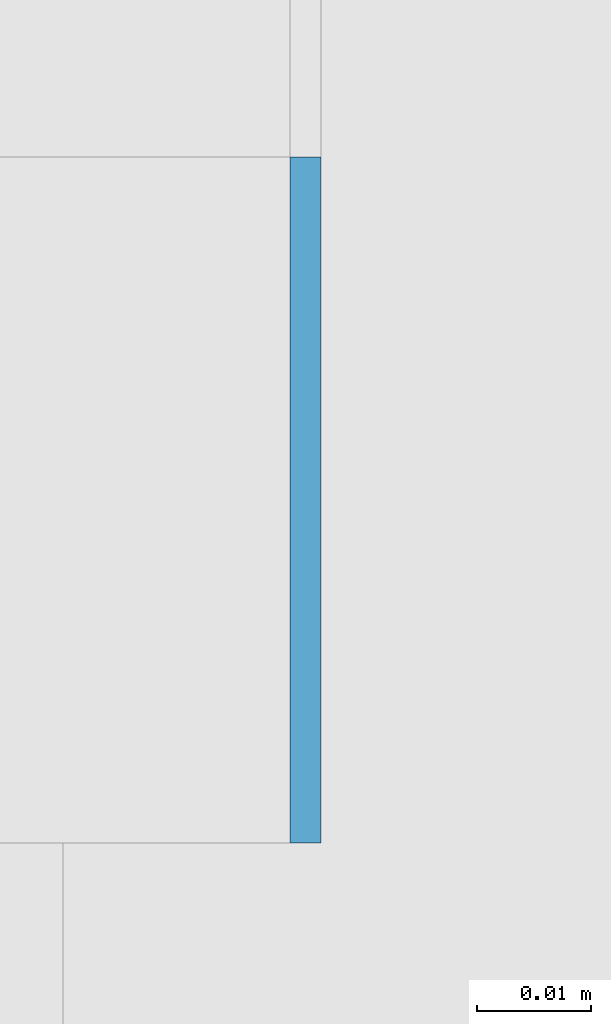
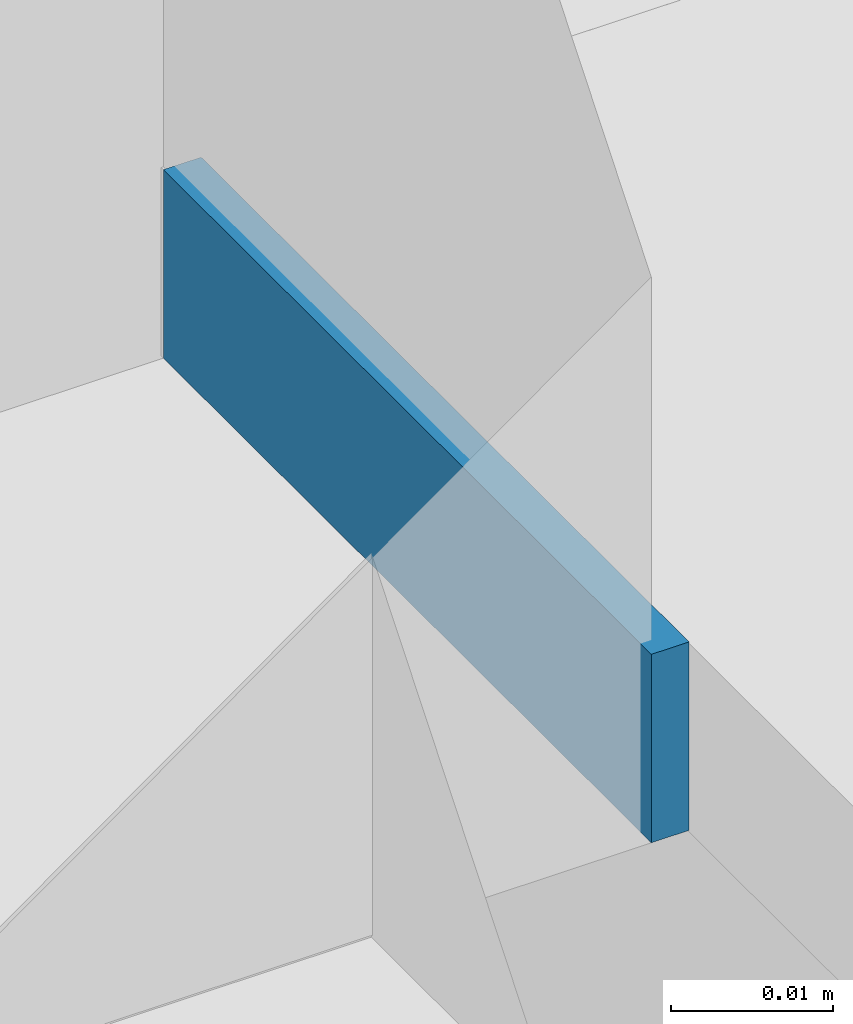
# One storey, part 284 of 646: 1 discrete accessory.
"""IFC4 building model written with IfcOpenShell, lengths in metres."""

import ifcopenshell
import ifcopenshell.guid

model = None  # the IFC model being written
_history = None  # IfcOwnerHistory: only IFC2X3 demands one
_inside = {}  # id of a spatial element -> (the spatial element, [elements in it])
_under = {}  # id of a project, library or spatial element -> (it, [spatial elements below it])
_declared = {}  # id of a project -> (the project, [libraries it declares])
_typed = {}  # id of a type object -> (the type object, [elements of that type])
_made_of = {}  # id of a material, layer set ... -> (it, [elements and type objects made of it])


def new_model(schema):
    """Start an empty IFC model of exactly this schema.

    Asked for "IFC4X3", IfcOpenShell would pick the latest addendum, in which some entities
    have other attributes; the version numbers below select the first issue.
    IFC2X3 requires an IfcOwnerHistory on every rooted entity: one is made here for all.
    """
    global model, _history
    if schema == "IFC4X3":
        model = ifcopenshell.file(schema_version=(4, 3, 0, 0))
    else:
        model = ifcopenshell.file(schema=schema)
    _inside.clear()
    _under.clear()
    _declared.clear()
    _typed.clear()
    _made_of.clear()
    _history = None
    if model.schema == "IFC2X3":
        org = make("IfcOrganization", Name="unknown")
        user = make(
            "IfcPersonAndOrganization",
            ThePerson=make("IfcPerson", FamilyName="unknown"),
            TheOrganization=org,
        )
        app = make(
            "IfcApplication",
            ApplicationDeveloper=org,
            Version="unknown",
            ApplicationFullName="unknown",
            ApplicationIdentifier="unknown",
        )
        _history = make(
            "IfcOwnerHistory",
            OwningUser=user,
            OwningApplication=app,
            ChangeAction="ADDED",
            CreationDate=0,
        )
    return model


def make(cls, **values):
    """One entity of the class cls with the attributes given. An attribute that is None is left unset."""
    return model.create_entity(
        cls, **{name: value for name, value in values.items() if value is not None}
    )


def rooted(cls, **values):
    """An entity with a GlobalId (a new one), such as an element, a storey or a relation."""
    return make(cls, GlobalId=ifcopenshell.guid.new(), OwnerHistory=_history, **values)


def si_unit(unit_type, name, prefix=None):
    """IfcSIUnit, for example si_unit("LENGTHUNIT", "METRE", prefix="MILLI")."""
    return make("IfcSIUnit", UnitType=unit_type, Prefix=prefix, Name=name)


def assignment(units):
    """IfcUnitAssignment: the units of a project."""
    return None if units is None else make("IfcUnitAssignment", Units=units)


def point(xyz):
    """IfcCartesianPoint."""
    return None if xyz is None else make("IfcCartesianPoint", Coordinates=xyz)


def direction(xyz):
    """IfcDirection."""
    return None if xyz is None else make("IfcDirection", DirectionRatios=xyz)


def frame(location, z_axis=None, x_axis=None):
    """IfcAxis2Placement3D, a coordinate frame: its origin and axes. An axis left out is left unset."""
    return make(
        "IfcAxis2Placement3D",
        Location=point(location),
        Axis=direction(z_axis),
        RefDirection=direction(x_axis),
    )


def frame_2d(location, x_axis=None):
    """IfcAxis2Placement2D, a coordinate frame in the plane: its origin and x axis."""
    return make(
        "IfcAxis2Placement2D", Location=point(location), RefDirection=direction(x_axis)
    )


def origin():
    """The frame at (0, 0, 0) with its axes left unset."""
    return frame((0.0, 0.0, 0.0))


def origin_2d():
    """The frame at (0, 0) in the plane with its x axis left unset."""
    return frame_2d((0.0, 0.0))


def place(relative_to, where):
    """IfcLocalPlacement: puts the frame where relative to a parent placement (None: the world)."""
    return make(
        "IfcLocalPlacement", PlacementRelTo=relative_to, RelativePlacement=where
    )


def context(
    kind, dimensions, precision=None, world=None, true_north=None, identifier=None
):
    """IfcGeometricRepresentationContext, for example the 3D "Model" context."""
    return make(
        "IfcGeometricRepresentationContext",
        ContextIdentifier=identifier,
        ContextType=kind,
        CoordinateSpaceDimension=dimensions,
        Precision=precision,
        WorldCoordinateSystem=world,
        TrueNorth=true_north,
    )


def subcontext(parent, identifier, kind, view, scale=None):
    """IfcGeometricRepresentationSubContext, for example "Body" below "Model"."""
    return make(
        "IfcGeometricRepresentationSubContext",
        ContextIdentifier=identifier,
        ContextType=kind,
        ParentContext=parent,
        TargetScale=scale,
        TargetView=view,
    )


def project(units=None, contexts=None):
    """IfcProject with its units and contexts."""
    return rooted(
        "IfcProject",
        Name="project",
        RepresentationContexts=contexts,
        UnitsInContext=assignment(units),
    )


def spatial(cls, under=None, at=None, **own):
    """A site, building, storey or space (cls), placed at a placement, below another one or the project."""
    s = rooted(cls, ObjectPlacement=at, **own)
    if under is not None:
        _under.setdefault(under.id(), (under, []))[1].append(s)
    return s


def profile(cls, at=None, kind="AREA", **sizes):
    """A parametric profile (cls). Its sizes go by their IFC names, for example OverallWidth=200.0."""
    return make(cls, ProfileType=kind, Position=at, **sizes)


def rectangle(**sizes):
    """IfcRectangleProfileDef."""
    return profile("IfcRectangleProfileDef", **sizes)


def extrude(swept, where, along, depth):
    """IfcExtrudedAreaSolid: the profile swept, set in the frame where, extruded along a direction by depth."""
    return make(
        "IfcExtrudedAreaSolid",
        SweptArea=swept,
        Position=where,
        ExtrudedDirection=direction(along),
        Depth=depth,
    )


def shape(context_of_items, identifier, shape_type, items):
    """IfcShapeRepresentation: the items that make up one representation, for example the "Body"."""
    return make(
        "IfcShapeRepresentation",
        ContextOfItems=context_of_items,
        RepresentationIdentifier=identifier,
        RepresentationType=shape_type,
        Items=items,
    )


def material(Name=None, Category=None):
    """IfcMaterial."""
    return make("IfcMaterial", Name=Name, Category=Category)


def made_of(thing, what):
    """Note that an element or type object is made of a material, layer set ...; save() writes the relation."""
    if what is not None:
        _made_of.setdefault(what.id(), (what, []))[1].append(thing)
    return thing


def type_object(cls, material=None, **own):
    """A type object (cls), such as IfcWallType, which elements share."""
    return made_of(rooted(cls, **own), material)


def element(
    cls,
    number,
    at=None,
    inside=None,
    cuts=None,
    type_object=None,
    material=None,
    context=None,
    identifier="Body",
    shape_type=None,
    held_by="IfcProductDefinitionShape",
    body=None,
    shapes=None,
    **own,
):
    """One element of the class cls, such as IfcWall. Its Tag is "e" and its number.

    at: its placement. inside: the storey or other place that contains it. cuts: it is an
    opening in that element (IfcRelVoidsElement). A single representation is given by context,
    identifier, shape_type and body (its items); several are given by shapes. held_by: the class
    of the entity that holds the representations. save() writes the other relations.
    """
    e = rooted(cls, Tag="e%d" % number, ObjectPlacement=at, **own)
    if body is not None:
        shapes = [shape(context, identifier, shape_type, body)]
    if shapes is not None:
        e.Representation = make(held_by, Representations=shapes)
    if inside is not None:
        _inside.setdefault(inside.id(), (inside, []))[1].append(e)
    if cuts is not None:
        rooted(
            "IfcRelVoidsElement", RelatingBuildingElement=cuts, RelatedOpeningElement=e
        )
    if type_object is not None:
        _typed.setdefault(type_object.id(), (type_object, []))[1].append(e)
    return made_of(e, material)


def aggregate(whole, parts):
    """IfcRelAggregates: a whole, such as a stair, and the parts it consists of."""
    return rooted("IfcRelAggregates", RelatingObject=whole, RelatedObjects=parts)


def save(model, path):
    """Write the relations noted so far, then the file.

    IfcRelAggregates (storeys below a building ...), IfcRelContainedInSpatialStructure (elements
    in a storey), IfcRelDefinesByType, IfcRelAssociatesMaterial and IfcRelDeclares: one each for
    every whole, place, type object, material and project.
    """
    for whole, parts in _under.values():
        aggregate(whole, parts)
    for where, things in _inside.values():
        rooted(
            "IfcRelContainedInSpatialStructure",
            RelatedElements=things,
            RelatingStructure=where,
        )
    for kind, things in _typed.values():
        rooted("IfcRelDefinesByType", RelatedObjects=things, RelatingType=kind)
    for what, things in _made_of.values():
        rooted("IfcRelAssociatesMaterial", RelatedObjects=things, RelatingMaterial=what)
    for by, libraries in _declared.values():
        rooted("IfcRelDeclares", RelatingContext=by, RelatedDefinitions=libraries)
    model.write(path)


model = new_model("IFC4")

# Units and contexts
model_context = context("Model", 3, precision=1e-05, world=origin(), true_north=direction((0.0, 1.0)))
body_context = subcontext(model_context, "Body", "Model", "MODEL_VIEW")
ifc_project = project(units=[si_unit("LENGTHUNIT", "METRE"), si_unit("AREAUNIT", "SQUARE_METRE"), si_unit("VOLUMEUNIT", "CUBIC_METRE"), si_unit("PLANEANGLEUNIT", "RADIAN"), si_unit("MASSUNIT", "GRAM", prefix="KILO")], contexts=[model_context])

# Site, building, storey
site_placement = place(None, origin())
site = spatial("IfcSite", under=ifc_project, at=site_placement, CompositionType="ELEMENT")
building_placement = place(site_placement, origin())
building = spatial("IfcBuilding", under=site, at=building_placement, Name="Silverbay Arena", CompositionType="ELEMENT")
storey_placement = place(building_placement, frame((0.0, 0.0, 33.5)))
storey = spatial("IfcBuildingStorey", under=building, at=storey_placement, Name="L05", CompositionType="ELEMENT", Elevation=33.5)

# Discrete accessory
ifc_material = material(Name="Steel S355", Category="steel")
discrete_accessory_type = type_object("IfcDiscreteAccessoryType", Name="Steel bracket plate", PredefinedType="BRACKET", material=ifc_material)
discrete_accessory_placement = place(storey_placement, frame((53.871337890625, 53.969970703125, 4.0), z_axis=(0.0, 0.0, 1.0), x_axis=(1.0, 0.0, 0.0)))
element("IfcDiscreteAccessory", 1, at=discrete_accessory_placement, inside=storey, type_object=discrete_accessory_type, Name="Curtain wall packing plate", PredefinedType="BRACKET", context=body_context, shape_type="SweptSolid", body=[
    extrude(rectangle(XDim=0.002685546875, YDim=0.06005859375, at=origin_2d()), origin(), (0.0, 0.0, 1.0), 0.01416015625),
])

save(model, "model.ifc")
